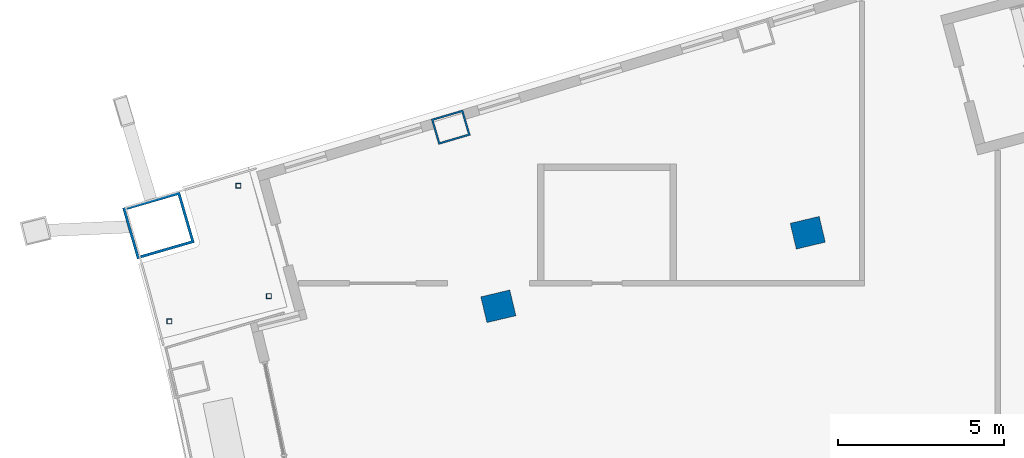
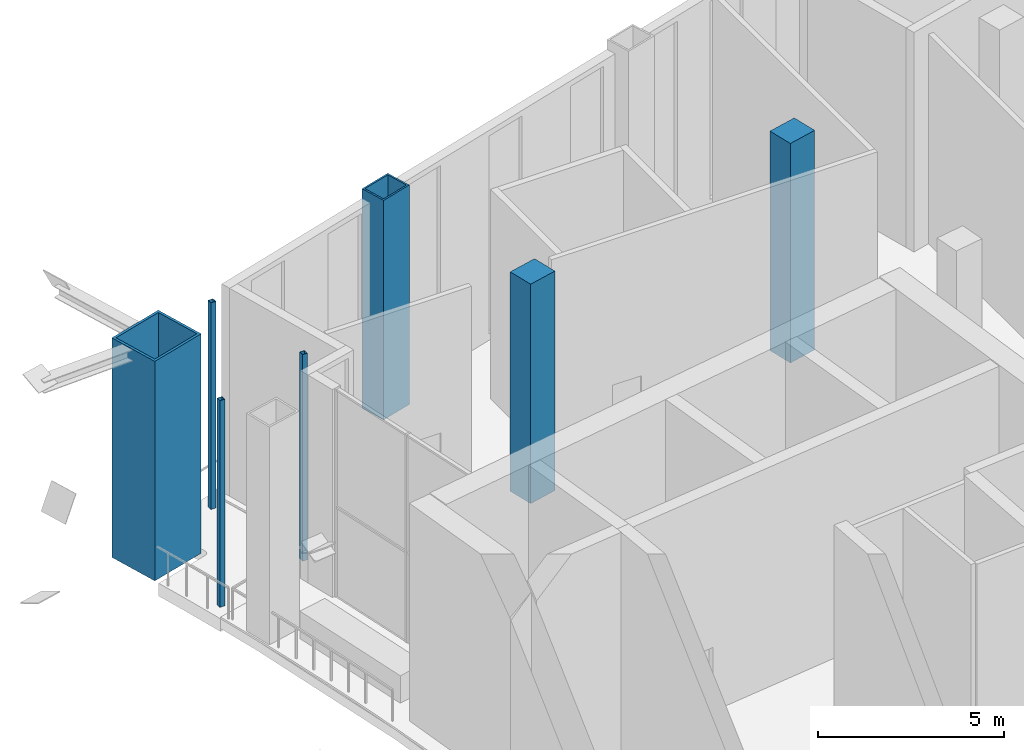
# One storey, part 7 of 26: 7 columns.
"""IFC4 building model written with IfcOpenShell, lengths in metres."""

from ifc_helpers import new_model, si_unit, direction, frame, origin, origin_2d, place, context, subcontext, project, spatial, rectangle, hollow_rectangle, extrude, material, material_profile, profile_set, type_object, element, save


model = new_model("IFC4")

# Units and contexts
model_context = context("Model", 3, precision=1e-05, world=origin(), true_north=direction((0.0, 1.0)))
body_context = subcontext(model_context, "Body", "Model", "MODEL_VIEW")
ifc_project = project(units=[si_unit("LENGTHUNIT", "METRE"), si_unit("AREAUNIT", "SQUARE_METRE"), si_unit("VOLUMEUNIT", "CUBIC_METRE"), si_unit("PLANEANGLEUNIT", "RADIAN"), si_unit("MASSUNIT", "GRAM", prefix="KILO")], contexts=[model_context])

# Site, building, storey
site_placement = place(None, origin())
site = spatial("IfcSite", under=ifc_project, at=site_placement, CompositionType="ELEMENT")
building_placement = place(site_placement, origin())
building = spatial("IfcBuilding", under=site, at=building_placement, Name="Alderwake Tower", CompositionType="ELEMENT")
storey_placement = place(building_placement, frame((0.0, 0.0, 182.0)))
storey = spatial("IfcBuildingStorey", under=building, at=storey_placement, Name="L45", CompositionType="ELEMENT", Elevation=182.0)

# Columns
ifc_material_1 = material(Name="Steel ASTM A572 Grade 50 concrete filled C70/85", Category="concrete")
ifc_material_profile_1 = material_profile(ifc_material_1, hollow_rectangle(XDim=0.800048828125, YDim=1.0, WallThickness=0.054931640625, at=origin_2d()), Name="BOX 1000X800X55")
ifc_profile_set_1 = profile_set([ifc_material_profile_1], Name="Steel ASTM A572 Grade 50 concrete filled C70/85")
column_type_1 = type_object("IfcColumnType", Name="End column Z3", PredefinedType="COLUMN", material=ifc_profile_set_1)
column_1_placement = place(storey_placement, frame((21.885498046875, 90.96240234375, 0.0), z_axis=(0.0, 0.0, 1.0), x_axis=(-0.282132160283, 0.95937554906, 0.0)))
element("IfcColumn", 1, at=column_1_placement, inside=storey, type_object=column_type_1, Name="Column R12-C1", PredefinedType="COLUMN", context=body_context, shape_type="SweptSolid", body=[
    extrude(hollow_rectangle(XDim=0.800048828125, YDim=1.0, WallThickness=0.054931640625, at=origin_2d()), origin(), (0.0, 0.0, 1.0), 7.199951171875),
])
ifc_material_2 = material(Name="Concrete C70/85", Category="concrete")
ifc_material_profile_2 = material_profile(ifc_material_2, rectangle(XDim=0.800048828125, YDim=0.89990234375, at=origin_2d()), Name="RC 900X800")
ifc_profile_set_2 = profile_set([ifc_material_profile_2], Name="Concrete C70/85")
column_type_2 = type_object("IfcColumnType", Name="Interior column Z3", PredefinedType="COLUMN", material=ifc_profile_set_2)
for number, where, z_axis, x_axis, name in (
    (2, (23.322021484375, 85.555908203125, 0.0), (0.0, 0.0, 1.0), (-0.231221547198, 0.972901123502, 0.0), "Column R11-C1"),
    (3, (32.661865234375, 87.775390625, 0.0), (0.0, 0.0, 1.0), (-0.231221547198, 0.972901123502, 0.0), "Column R11-C2"),
):
    element("IfcColumn", number, at=place(storey_placement, frame(where, z_axis=z_axis, x_axis=x_axis)), inside=storey, type_object=column_type_2, Name=name, PredefinedType="COLUMN", context=body_context, shape_type="SweptSolid", body=[
        extrude(rectangle(XDim=0.800048828125, YDim=0.89990234375, at=origin_2d()), origin(), (0.0, 0.0, 1.0), 7.199951171875),
    ])
ifc_material_3 = material(Name="Steel ASTM A500 Grade C", Category="steel")
ifc_material_profile_3 = material_profile(ifc_material_3, hollow_rectangle(XDim=0.15234375, YDim=0.15234375, WallThickness=0.0087890625, at=origin_2d()), Name="HSS6X6X3/8")
ifc_profile_set_3 = profile_set([ifc_material_profile_3], Name="Steel ASTM A500 Grade C")
column_type_3 = type_object("IfcColumnType", Name="Light post HSS6X6X3/8", PredefinedType="COLUMN", material=ifc_profile_set_3)
for number, where, z_axis, x_axis, name in (
    (4, (13.3896484375, 85.103515625, 0.0), (0.0, 0.0, 1.0), (1.0, 0.0, 0.0), "Terrace post RN1"),
    (5, (15.47412109375, 89.194091796875, 0.0), (0.0, 0.0, 1.0), (1.0, 0.0, 0.0), "Terrace post RN2"),
    (6, (16.39501953125, 85.864013671875, 0.0), (0.0, 0.0, 1.0), (1.0, 0.0, 0.0), "Terrace post RN3"),
):
    element("IfcColumn", number, at=place(storey_placement, frame(where, z_axis=z_axis, x_axis=x_axis)), inside=storey, type_object=column_type_3, Name=name, PredefinedType="COLUMN", context=body_context, shape_type="SweptSolid", body=[
        extrude(hollow_rectangle(XDim=0.15234375, YDim=0.15234375, WallThickness=0.0087890625, at=origin_2d()), origin(), (0.0, 0.0, 1.0), 6.780029296875),
    ])
ifc_material_4 = material(Name="Steel ASTM A572 Grade 50 concrete filled C70/85", Category="concrete")
ifc_material_profile_4 = material_profile(ifc_material_4, hollow_rectangle(XDim=1.60009765625, YDim=1.800048828125, WallThickness=0.080078125, at=origin_2d()), Name="BOX 1800X1600X80")
ifc_profile_set_4 = profile_set([ifc_material_profile_4], Name="Steel ASTM A572 Grade 50 concrete filled C70/85")
column_type_4 = type_object("IfcColumnType", Name="Mega column Z3", PredefinedType="COLUMN", material=ifc_profile_set_4)
column_2_placement = place(storey_placement, frame((13.06298828125, 87.99755859375, 0.0), z_axis=(0.0, 0.0, 1.0), x_axis=(-0.278612301868, 0.960403657452, 0.0)))
element("IfcColumn", 7, at=column_2_placement, inside=storey, type_object=column_type_4, Name="Column R12-C0", PredefinedType="COLUMN", context=body_context, shape_type="SweptSolid", body=[
    extrude(hollow_rectangle(XDim=1.60009765625, YDim=1.800048828125, WallThickness=0.080078125, at=origin_2d()), origin(), (0.0, 0.0, 1.0), 7.199951171875),
])

save(model, "model.ifc")
